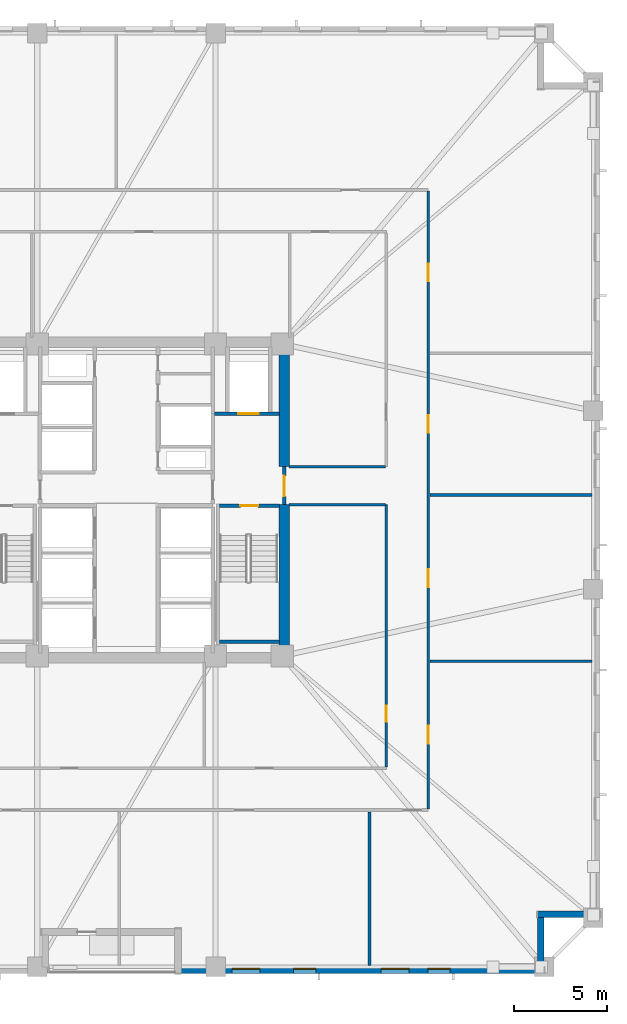
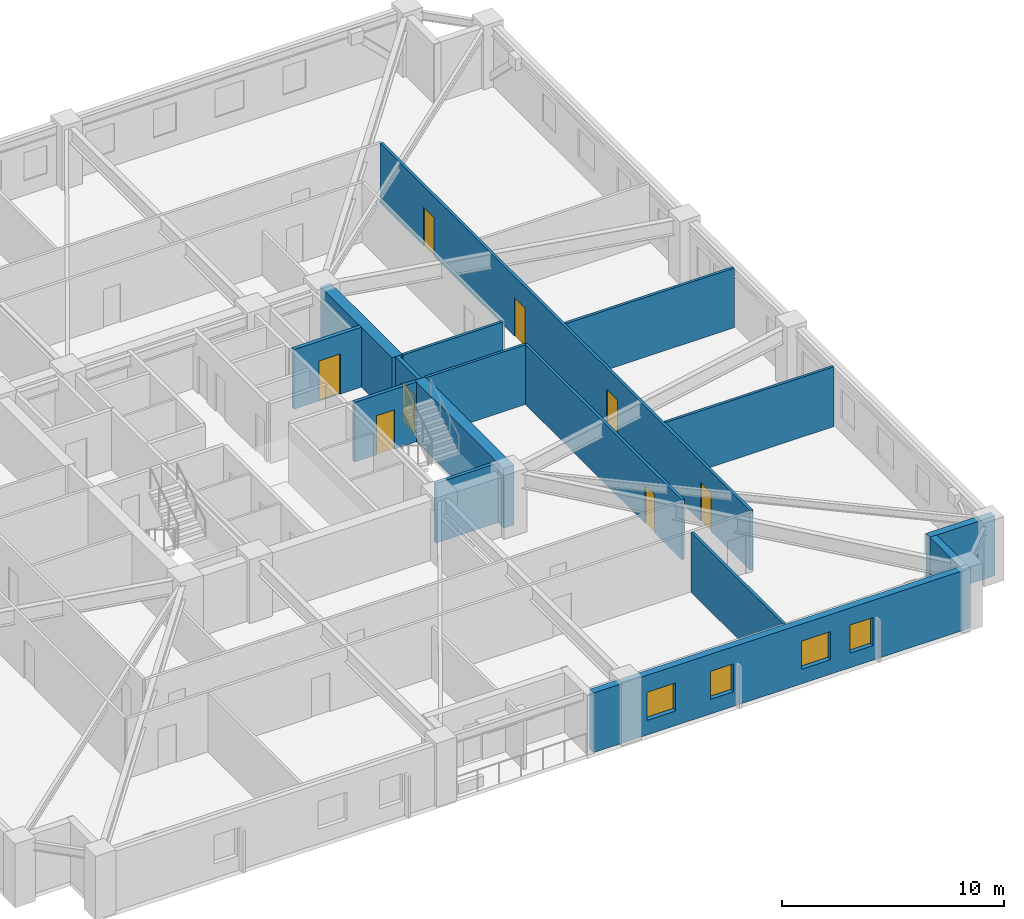
# One storey, part 4 of 11: 16 walls, 8 doors, 4 windows, 12 openings.
"""IFC4 building model written with IfcOpenShell, lengths in metres."""

from ifc_helpers import new_model, si_unit, direction, frame, frame_2d, origin, place, context, subcontext, project, spatial, rectangle, extrude, material, layer, layer_set, type_object, element, fill, save


model = new_model("IFC4")

# Units and contexts
model_context = context("Model", 3, precision=1e-05, world=origin(), true_north=direction((0.0, 1.0)))
body_context = subcontext(model_context, "Body", "Model", "MODEL_VIEW")
ifc_project = project(units=[si_unit("LENGTHUNIT", "METRE"), si_unit("AREAUNIT", "SQUARE_METRE"), si_unit("VOLUMEUNIT", "CUBIC_METRE"), si_unit("PLANEANGLEUNIT", "RADIAN"), si_unit("MASSUNIT", "GRAM", prefix="KILO")], contexts=[model_context])

# Site, building, storey
site_placement = place(None, origin())
site = spatial("IfcSite", under=ifc_project, at=site_placement, CompositionType="ELEMENT")
building_placement = place(site_placement, origin())
building = spatial("IfcBuilding", under=site, at=building_placement, Name="Cairnveth Concourse Tower", CompositionType="ELEMENT")
storey_placement = place(building_placement, frame((0.0, 0.0, 34.0)))
storey = spatial("IfcBuildingStorey", under=building, at=storey_placement, Name="L08", CompositionType="ELEMENT", Elevation=34.0)

# Walls
ifc_material_1 = material(Name="Concrete N80 (80 MPa)", Category="concrete")
ifc_layer_1 = layer(ifc_material_1, 0.550048828125)
ifc_layer_set_1 = layer_set([ifc_layer_1], Name="Concrete N80 (80 MPa)")
wall_type_1 = type_object("IfcWallType", Name="CORE SHEAR WALL 550", PredefinedType="SHEAR", material=ifc_layer_set_1)
wall_1_placement = place(storey_placement, frame((60.5, 30.764892578125, 0.0), z_axis=(0.0, 0.0, 1.0), x_axis=(0.0, 1.0, 0.0)))
element("IfcWall", 1, at=wall_1_placement, inside=storey, type_object=wall_type_1, Name="Core East Shear Wall S L08", PredefinedType="SHEAR", context=body_context, shape_type="SweptSolid", body=[
    extrude(rectangle(XDim=7.985107421875, YDim=0.550048828125, at=frame_2d((3.99267578125, 0.0))), origin(), (0.0, 0.0, 1.0), 3.280029296875),
])
wall_2_placement = place(storey_placement, frame((60.5, 40.800048828125, 0.0), z_axis=(0.0, 0.0, 1.0), x_axis=(0.0, 1.0, 0.0)))
element("IfcWall", 2, at=wall_2_placement, inside=storey, type_object=wall_type_1, Name="Core East Shear Wall N L08", PredefinedType="SHEAR", context=body_context, shape_type="SweptSolid", body=[
    extrude(rectangle(XDim=6.43505859375, YDim=0.550048828125, at=frame_2d((3.217529296875, 0.0))), origin(), (0.0, 0.0, 1.0), 3.280029296875),
])

# Wall, opening, door
ifc_material_2 = material(Name="Concrete N50 (50 MPa)", Category="concrete")
ifc_layer_2 = layer(ifc_material_2, 0.179931640625)
ifc_layer_set_2 = layer_set([ifc_layer_2], Name="Concrete N50 (50 MPa)")
wall_type_2 = type_object("IfcWallType", Name="FIRE SHAFT WALL 180", PredefinedType="SOLIDWALL", material=ifc_layer_set_2)
wall_3_placement = place(storey_placement, frame((57.0048828125, 38.68994140625, 0.0), z_axis=(0.0, 0.0, 1.0), x_axis=(1.0, 0.0, 0.0)))
wall_3 = element("IfcWall", 3, at=wall_3_placement, inside=storey, type_object=wall_type_2, Name="Stair ST-2 Shaft Wall NEAR L08", PredefinedType="SOLIDWALL", context=body_context, shape_type="SweptSolid", body=[
    extrude(rectangle(XDim=3.230224609375, YDim=0.179931640625, at=frame_2d((1.615234375, 0.0))), origin(), (0.0, 0.0, 1.0), 3.280029296875),
])
opening_1_placement = place(wall_3_placement, frame((1.139892578125, 0.0, 0.0)))
opening_1 = element("IfcOpeningElement", 4, at=opening_1_placement, cuts=wall_3, Name="Opening ID12", PredefinedType="OPENING", context=body_context, shape_type="SweptSolid", body=[
    extrude(rectangle(XDim=0.949951171875, YDim=2.14990234375, at=frame_2d((0.47509765625, 1.074951171875))), frame((0.0, 0.099853515625, 0.0), z_axis=(0.0, -1.0, 0.0), x_axis=(1.0, 0.0, 0.0)), (0.0, 0.0, 1.0), 0.199951171875),
])
ifc_material_3 = material(Name="Steel Grade 350", Category="steel")
door_type_1 = type_object("IfcDoorType", Name="FIRE STAIR DOOR 950X2150", OperationType="NOTDEFINED", PredefinedType="DOOR", material=ifc_material_3)
door_1_placement = place(opening_1_placement, origin())
door_1 = element("IfcDoor", 5, at=door_1_placement, inside=storey, type_object=door_type_1, Name="Stair ST-2 Fire Door L08", OperationType="SINGLE_SWING_RIGHT", OverallHeight=2.14990234375, OverallWidth=0.949951171875, PredefinedType="DOOR", context=body_context, shape_type="SweptSolid", body=[
    extrude(rectangle(XDim=0.949951171875, YDim=2.14990234375, at=frame_2d((0.47509765625, 1.074951171875))), frame((0.0, 0.02490234375, 0.0), z_axis=(0.0, -1.0, 0.0), x_axis=(1.0, 0.0, 0.0)), (0.0, 0.0, 1.0), 0.050048828125),
])
fill(opening_1, door_1)

# Wall
wall_4_placement = place(storey_placement, frame((57.0048828125, 31.360107421875, 0.0), z_axis=(0.0, 0.0, 1.0), x_axis=(1.0, 0.0, 0.0)))
element("IfcWall", 6, at=wall_4_placement, inside=storey, type_object=wall_type_2, Name="Stair ST-2 Shaft Wall FAR L08", PredefinedType="SOLIDWALL", context=body_context, shape_type="SweptSolid", body=[
    extrude(rectangle(XDim=3.230224609375, YDim=0.179931640625, at=frame_2d((1.615234375, 0.0))), origin(), (0.0, 0.0, 1.0), 3.280029296875),
])

# Wall, opening, door
ifc_layer_3 = layer(ifc_material_2, 0.199951171875)
ifc_layer_set_3 = layer_set([ifc_layer_3], Name="Concrete N50 (50 MPa)")
wall_type_3 = type_object("IfcWallType", Name="FIRE SHAFT WALL 200", PredefinedType="SOLIDWALL", material=ifc_layer_set_3)
wall_5_placement = place(storey_placement, frame((60.5, 38.75, 0.0), z_axis=(0.0, 0.0, 1.0), x_axis=(0.0, 1.0, 0.0)))
wall_5 = element("IfcWall", 7, at=wall_5_placement, inside=storey, type_object=wall_type_3, Name="Interior Wall IW-L08-020", PredefinedType="SOLIDWALL", context=body_context, shape_type="SweptSolid", body=[
    extrude(rectangle(XDim=2.050048828125, YDim=0.199951171875, at=frame_2d((1.02490234375, 0.0))), origin(), (0.0, 0.0, 1.0), 3.280029296875),
])
opening_2_placement = place(wall_5_placement, frame((0.449951171875, 0.0, 0.0)))
opening_2 = element("IfcOpeningElement", 8, at=opening_2_placement, cuts=wall_5, Name="Opening ID06", PredefinedType="OPENING", context=body_context, shape_type="SweptSolid", body=[
    extrude(rectangle(XDim=1.10009765625, YDim=2.14990234375, at=frame_2d((0.550048828125, 1.074951171875))), frame((0.0, 0.10986328125, 0.0), z_axis=(0.0, -1.0, 0.0), x_axis=(1.0, 0.0, 0.0)), (0.0, 0.0, 1.0), 0.219970703125),
])
door_type_2 = type_object("IfcDoorType", Name="FIRE CORRIDOR DOOR 1100X2150", OperationType="NOTDEFINED", PredefinedType="DOOR", material=ifc_material_3)
door_2_placement = place(opening_2_placement, origin())
door_2 = element("IfcDoor", 9, at=door_2_placement, inside=storey, type_object=door_type_2, Name="East Wing to FF Lobby Door L08", OperationType="SINGLE_SWING_RIGHT", OverallHeight=2.14990234375, OverallWidth=1.10009765625, PredefinedType="DOOR", context=body_context, shape_type="SweptSolid", body=[
    extrude(rectangle(XDim=1.10009765625, YDim=2.14990234375, at=frame_2d((0.550048828125, 1.074951171875))), frame((0.0, 0.02490234375, 0.0), z_axis=(0.0, -1.0, 0.0), x_axis=(1.0, 0.0, 0.0)), (0.0, 0.0, 1.0), 0.050048828125),
])
fill(opening_2, door_2)

wall_6_placement = place(storey_placement, frame((56.735107421875, 43.64990234375, 0.0), z_axis=(0.0, 0.0, 1.0), x_axis=(1.0, 0.0, 0.0)))
wall_6 = element("IfcWall", 10, at=wall_6_placement, inside=storey, type_object=wall_type_3, Name="Interior Wall IW-L08-022", PredefinedType="SOLIDWALL", context=body_context, shape_type="SweptSolid", body=[
    extrude(rectangle(XDim=3.5048828125, YDim=0.199951171875, at=frame_2d((1.75244140625, 0.0))), origin(), (0.0, 0.0, 1.0), 3.280029296875),
])
opening_3_placement = place(wall_6_placement, frame((1.294921875, 0.0, 0.0)))
opening_3 = element("IfcOpeningElement", 11, at=opening_3_placement, cuts=wall_6, Name="Opening LD-1", PredefinedType="OPENING", context=body_context, shape_type="SweptSolid", body=[
    extrude(rectangle(XDim=1.10009765625, YDim=2.199951171875, at=frame_2d((0.550048828125, 1.10009765625))), frame((0.0, 0.10986328125, 0.0), z_axis=(0.0, -1.0, 0.0), x_axis=(1.0, 0.0, 0.0)), (0.0, 0.0, 1.0), 0.219970703125),
])
ifc_material_4 = material(Name="Architectural Bronze Anodised Aluminium 6063-T6", Category="aluminium")
door_type_3 = type_object("IfcDoorType", Name="LIFT LANDING DOOR 1100X2200", OperationType="SLIDING_TO_LEFT", PredefinedType="DOOR", material=ifc_material_4)
door_3_placement = place(opening_3_placement, origin())
door_3 = element("IfcDoor", 12, at=door_3_placement, inside=storey, type_object=door_type_3, Name="Lift FFL2 Landing Door L08", OperationType="SLIDING_TO_LEFT", OverallHeight=2.199951171875, OverallWidth=1.10009765625, PredefinedType="DOOR", context=body_context, shape_type="SweptSolid", body=[
    extrude(rectangle(XDim=1.10009765625, YDim=2.199951171875, at=frame_2d((0.550048828125, 1.10009765625))), frame((0.0, 0.02490234375, 0.0), z_axis=(0.0, -1.0, 0.0), x_axis=(1.0, 0.0, 0.0)), (0.0, 0.0, 1.0), 0.050048828125),
])
fill(opening_3, door_3)

# Wall, openings, doors
ifc_material_5 = material(Name="Gypsum Plasterboard Partition", Category="gypsum")
ifc_layer_4 = layer(ifc_material_5, 0.139892578125)
ifc_layer_set_4 = layer_set([ifc_layer_4], Name="Gypsum Plasterboard Partition")
wall_type_4 = type_object("IfcWallType", Name="GYPSUM STUD PARTITION 140", PredefinedType="PARTITIONING", material=ifc_layer_set_4)
wall_7_placement = place(storey_placement, frame((68.25, 22.35498046875, 0.0), z_axis=(0.0, 0.0, 1.0), x_axis=(0.0, 1.0, 0.0)))
wall_7 = element("IfcWall", 13, at=wall_7_placement, inside=storey, type_object=wall_type_4, Name="Interior Wall IW-L08-041", PredefinedType="PARTITIONING", context=body_context, shape_type="SweptSolid", body=[
    extrude(rectangle(XDim=33.2900390625, YDim=0.139892578125, at=frame_2d((16.64501953125, 0.0))), origin(), (0.0, 0.0, 1.0), 3.280029296875),
])
opening_4_placement = place(wall_7_placement, frame((3.521728515625, 0.0, 0.0)))
opening_4 = element("IfcOpeningElement", 14, at=opening_4_placement, cuts=wall_7, Name="Opening ID11", PredefinedType="OPENING", context=body_context, shape_type="SweptSolid", body=[
    extrude(rectangle(XDim=0.9599609375, YDim=2.1201171875, at=frame_2d((0.47998046875, 1.06005859375))), frame((0.0, 0.079833984375, 0.0), z_axis=(0.0, -1.0, 0.0), x_axis=(1.0, 0.0, 0.0)), (0.0, 0.0, 1.0), 0.159912109375),
])
opening_5_placement = place(wall_7_placement, frame((11.95556640625, 0.0, 0.0)))
opening_5 = element("IfcOpeningElement", 15, at=opening_5_placement, cuts=wall_7, Name="Opening ID11", PredefinedType="OPENING", context=body_context, shape_type="SweptSolid", body=[
    extrude(rectangle(XDim=0.9599609375, YDim=2.1201171875, at=frame_2d((0.47998046875, 1.06005859375))), frame((0.0, 0.079833984375, 0.0), z_axis=(0.0, -1.0, 0.0), x_axis=(1.0, 0.0, 0.0)), (0.0, 0.0, 1.0), 0.159912109375),
])
opening_6_placement = place(wall_7_placement, frame((20.255615234375, 0.0, 0.0)))
opening_6 = element("IfcOpeningElement", 16, at=opening_6_placement, cuts=wall_7, Name="Opening ID11", PredefinedType="OPENING", context=body_context, shape_type="SweptSolid", body=[
    extrude(rectangle(XDim=0.9599609375, YDim=2.1201171875, at=frame_2d((0.47998046875, 1.06005859375))), frame((0.0, 0.079833984375, 0.0), z_axis=(0.0, -1.0, 0.0), x_axis=(1.0, 0.0, 0.0)), (0.0, 0.0, 1.0), 0.159912109375),
])
opening_7_placement = place(wall_7_placement, frame((28.421630859375, 0.0, 0.0)))
opening_7 = element("IfcOpeningElement", 17, at=opening_7_placement, cuts=wall_7, Name="Opening ID11", PredefinedType="OPENING", context=body_context, shape_type="SweptSolid", body=[
    extrude(rectangle(XDim=0.9599609375, YDim=2.1201171875, at=frame_2d((0.47998046875, 1.06005859375))), frame((0.0, 0.079833984375, 0.0), z_axis=(0.0, -1.0, 0.0), x_axis=(1.0, 0.0, 0.0)), (0.0, 0.0, 1.0), 0.159912109375),
])
ifc_material_6 = material(Name="Solid Core Hardwood Timber Leaf", Category="wood")
door_type_4 = type_object("IfcDoorType", Name="INTERIOR SINGLE DOOR 960X2150", OperationType="NOTDEFINED", PredefinedType="DOOR", material=ifc_material_6)
door_4_placement = place(opening_4_placement, origin())
door_4 = element("IfcDoor", 18, at=door_4_placement, inside=storey, type_object=door_type_4, Name="Office Door L08-E1", OperationType="SINGLE_SWING_LEFT", OverallHeight=2.1201171875, OverallWidth=0.9599609375, PredefinedType="DOOR", context=body_context, shape_type="SweptSolid", body=[
    extrude(rectangle(XDim=0.9599609375, YDim=2.1201171875, at=frame_2d((0.47998046875, 1.06005859375))), frame((0.0, 0.02490234375, 0.0), z_axis=(0.0, -1.0, 0.0), x_axis=(1.0, 0.0, 0.0)), (0.0, 0.0, 1.0), 0.050048828125),
])
fill(opening_4, door_4)
door_5_placement = place(opening_5_placement, origin())
door_5 = element("IfcDoor", 19, at=door_5_placement, inside=storey, type_object=door_type_4, Name="Office Door L08-E2", OperationType="SINGLE_SWING_RIGHT", OverallHeight=2.1201171875, OverallWidth=0.9599609375, PredefinedType="DOOR", context=body_context, shape_type="SweptSolid", body=[
    extrude(rectangle(XDim=0.9599609375, YDim=2.1201171875, at=frame_2d((0.47998046875, 1.06005859375))), frame((0.0, 0.02490234375, 0.0), z_axis=(0.0, -1.0, 0.0), x_axis=(1.0, 0.0, 0.0)), (0.0, 0.0, 1.0), 0.050048828125),
])
fill(opening_5, door_5)
door_6_placement = place(opening_6_placement, origin())
door_6 = element("IfcDoor", 20, at=door_6_placement, inside=storey, type_object=door_type_4, Name="Office Door L08-E3", OperationType="SINGLE_SWING_LEFT", OverallHeight=2.1201171875, OverallWidth=0.9599609375, PredefinedType="DOOR", context=body_context, shape_type="SweptSolid", body=[
    extrude(rectangle(XDim=0.9599609375, YDim=2.1201171875, at=frame_2d((0.47998046875, 1.06005859375))), frame((0.0, 0.02490234375, 0.0), z_axis=(0.0, -1.0, 0.0), x_axis=(1.0, 0.0, 0.0)), (0.0, 0.0, 1.0), 0.050048828125),
])
fill(opening_6, door_6)
door_7_placement = place(opening_7_placement, origin())
door_7 = element("IfcDoor", 21, at=door_7_placement, inside=storey, type_object=door_type_4, Name="Office Door L08-E4", OperationType="SINGLE_SWING_RIGHT", OverallHeight=2.1201171875, OverallWidth=0.9599609375, PredefinedType="DOOR", context=body_context, shape_type="SweptSolid", body=[
    extrude(rectangle(XDim=0.9599609375, YDim=2.1201171875, at=frame_2d((0.47998046875, 1.06005859375))), frame((0.0, 0.02490234375, 0.0), z_axis=(0.0, -1.0, 0.0), x_axis=(1.0, 0.0, 0.0)), (0.0, 0.0, 1.0), 0.050048828125),
])
fill(opening_7, door_7)

# Wall, opening, door
wall_8_placement = place(storey_placement, frame((66.0, 24.60498046875, 0.0), z_axis=(0.0, 0.0, 1.0), x_axis=(0.0, 1.0, 0.0)))
wall_8 = element("IfcWall", 22, at=wall_8_placement, inside=storey, type_object=wall_type_4, Name="Interior Wall IW-L08-048", PredefinedType="PARTITIONING", context=body_context, shape_type="SweptSolid", body=[
    extrude(rectangle(XDim=14.14501953125, YDim=0.139892578125, at=frame_2d((7.072509765625, 0.0))), origin(), (0.0, 0.0, 1.0), 3.280029296875),
])
opening_8_placement = place(wall_8_placement, frame((2.445068359375, 0.0, 0.0)))
opening_8 = element("IfcOpeningElement", 23, at=opening_8_placement, cuts=wall_8, Name="Opening ID18", PredefinedType="OPENING", context=body_context, shape_type="SweptSolid", body=[
    extrude(rectangle(XDim=0.8798828125, YDim=2.10009765625, at=frame_2d((0.43994140625, 1.050048828125))), frame((0.0, 0.079833984375, 0.0), z_axis=(0.0, -1.0, 0.0), x_axis=(1.0, 0.0, 0.0)), (0.0, 0.0, 1.0), 0.159912109375),
])
door_type_5 = type_object("IfcDoorType", Name="INTERIOR SINGLE DOOR 880X2100", OperationType="NOTDEFINED", PredefinedType="DOOR", material=ifc_material_6)
door_8_placement = place(opening_8_placement, origin())
door_8 = element("IfcDoor", 24, at=door_8_placement, inside=storey, type_object=door_type_5, Name="Interior Door DR-L08-023", OperationType="SINGLE_SWING_LEFT", OverallHeight=2.10009765625, OverallWidth=0.8798828125, PredefinedType="DOOR", context=body_context, shape_type="SweptSolid", body=[
    extrude(rectangle(XDim=0.8798828125, YDim=2.10009765625, at=frame_2d((0.43994140625, 1.050048828125))), frame((0.0, 0.02490234375, 0.0), z_axis=(0.0, -1.0, 0.0), x_axis=(1.0, 0.0, 0.0)), (0.0, 0.0, 1.0), 0.050048828125),
])
fill(opening_8, door_8)

# Walls
for number, where, z_axis, x_axis, name in (
    (25, (60.760009765625, 38.75, 0.0), (0.0, 0.0, 1.0), (1.0, 0.0, 0.0), "Interior Wall IW-L08-050"),
    (26, (60.760009765625, 40.800048828125, 0.0), (0.0, 0.0, 1.0), (1.0, 0.0, 0.0), "Interior Wall IW-L08-051"),
):
    element("IfcWall", number, at=place(storey_placement, frame(where, z_axis=z_axis, x_axis=x_axis)), inside=storey, type_object=wall_type_4, Name=name, PredefinedType="PARTITIONING", context=body_context, shape_type="SweptSolid", body=[
        extrude(rectangle(XDim=5.18505859375, YDim=0.139892578125, at=frame_2d((2.592529296875, 0.0))), origin(), (0.0, 0.0, 1.0), 3.280029296875),
    ])
wall_9_placement = place(storey_placement, frame((65.092529296875, 13.919921875, 0.0), z_axis=(0.0, 0.0, 1.0), x_axis=(0.0, 1.0, 0.0)))
element("IfcWall", 27, at=wall_9_placement, inside=storey, type_object=wall_type_4, Name="Interior Wall IW-L08-059", PredefinedType="PARTITIONING", context=body_context, shape_type="SweptSolid", body=[
    extrude(rectangle(XDim=8.280029296875, YDim=0.139892578125, at=frame_2d((4.14013671875, 0.0))), origin(), (0.0, 0.0, 1.0), 3.280029296875),
])
for number, where, z_axis, x_axis, name in (
    (28, (68.35009765625, 30.313232421875, 0.0), (0.0, 0.0, 1.0), (1.0, 0.0, 0.0), "Interior Wall IW-L08-062"),
    (29, (68.35009765625, 39.267578125, 0.0), (0.0, 0.0, 1.0), (1.0, 0.0, 0.0), "Interior Wall IW-L08-063"),
):
    element("IfcWall", number, at=place(storey_placement, frame(where, z_axis=z_axis, x_axis=x_axis)), inside=storey, type_object=wall_type_4, Name=name, PredefinedType="PARTITIONING", context=body_context, shape_type="SweptSolid", body=[
        extrude(rectangle(XDim=8.72998046875, YDim=0.139892578125, at=frame_2d((4.364990234375, 0.0))), origin(), (0.0, 0.0, 1.0), 3.280029296875),
    ])
ifc_material_7 = material(Name="Hawthorn Red-Ochre Fired Clay Brick Masonry", Category="masonry")
ifc_layer_5 = layer(ifc_material_7, 0.360107421875)
ifc_layer_set_5 = layer_set([ifc_layer_5], Name="Hawthorn Red-Ochre Fired Clay Brick Masonry")
wall_type_5 = type_object("IfcWallType", Name="ZONE 1 BRICK PIER SPANDREL WALL 360", PredefinedType="SOLIDWALL", material=ifc_layer_set_5)
wall_10_placement = place(storey_placement, frame((77.5, 16.679931640625, 0.0), z_axis=(0.0, 0.0, 1.0), x_axis=(-1.0, 0.0, 0.0)))
element("IfcWall", 30, at=wall_10_placement, inside=storey, type_object=wall_type_5, Name="Exterior Wall EW-L08-S10", PredefinedType="SOLIDWALL", context=body_context, shape_type="SweptSolid", body=[
    extrude(rectangle(XDim=3.360107421875, YDim=0.360107421875, at=frame_2d((1.68017578125, 0.0))), origin(), (0.0, 0.0, 1.0), 3.280029296875),
])
wall_11_placement = place(storey_placement, frame((74.320068359375, 16.52197265625, 0.0), z_axis=(0.0, 0.0, 1.0), x_axis=(0.0, -1.0, 0.0)))
element("IfcWall", 31, at=wall_11_placement, inside=storey, type_object=wall_type_5, Name="Exterior Wall EW-L08-S11", PredefinedType="SOLIDWALL", context=body_context, shape_type="SweptSolid", body=[
    extrude(rectangle(XDim=2.68408203125, YDim=0.360107421875, at=frame_2d((1.342041015625, 0.0))), origin(), (0.0, 0.0, 1.0), 3.280029296875),
])

# Wall, openings, windows
wall_12_placement = place(storey_placement, frame((74.5, 13.679931640625, 0.0), z_axis=(0.0, 0.0, 1.0), x_axis=(-1.0, 0.0, 0.0)))
wall_12 = element("IfcWall", 32, at=wall_12_placement, inside=storey, type_object=wall_type_5, Name="Exterior Wall EW-L08-S12", PredefinedType="SOLIDWALL", context=body_context, shape_type="SweptSolid", body=[
    extrude(rectangle(XDim=19.56201171875, YDim=0.360107421875, at=frame_2d((9.781005859375, 0.0))), origin(), (0.0, 0.0, 1.0), 3.280029296875),
])
opening_9_placement = place(wall_12_placement, frame((5.057861328125, 0.0, 0.800048828125)))
opening_9 = element("IfcOpeningElement", 33, at=opening_9_placement, cuts=wall_12, Name="Opening W01", PredefinedType="OPENING", context=body_context, shape_type="SweptSolid", body=[
    extrude(rectangle(XDim=1.199951171875, YDim=1.5439453125, at=frame_2d((0.60009765625, 0.77197265625))), frame((0.0, 0.18994140625, 0.0), z_axis=(0.0, -1.0, 0.0), x_axis=(1.0, 0.0, 0.0)), (0.0, 0.0, 1.0), 0.380126953125),
])
opening_10_placement = place(wall_12_placement, frame((7.273193359375, 0.0, 0.800048828125)))
opening_10 = element("IfcOpeningElement", 34, at=opening_10_placement, cuts=wall_12, Name="Opening W03", PredefinedType="OPENING", context=body_context, shape_type="SweptSolid", body=[
    extrude(rectangle(XDim=1.5, YDim=1.5439453125, at=frame_2d((0.75, 0.77197265625))), frame((0.0, 0.18994140625, 0.0), z_axis=(0.0, -1.0, 0.0), x_axis=(1.0, 0.0, 0.0)), (0.0, 0.0, 1.0), 0.380126953125),
])
opening_11_placement = place(wall_12_placement, frame((12.288818359375, 0.0, 0.800048828125)))
opening_11 = element("IfcOpeningElement", 35, at=opening_11_placement, cuts=wall_12, Name="Opening W01", PredefinedType="OPENING", context=body_context, shape_type="SweptSolid", body=[
    extrude(rectangle(XDim=1.199951171875, YDim=1.5439453125, at=frame_2d((0.60009765625, 0.77197265625))), frame((0.0, 0.18994140625, 0.0), z_axis=(0.0, -1.0, 0.0), x_axis=(1.0, 0.0, 0.0)), (0.0, 0.0, 1.0), 0.380126953125),
])
opening_12_placement = place(wall_12_placement, frame((15.30419921875, 0.0, 0.800048828125)))
opening_12 = element("IfcOpeningElement", 36, at=opening_12_placement, cuts=wall_12, Name="Opening W03", PredefinedType="OPENING", context=body_context, shape_type="SweptSolid", body=[
    extrude(rectangle(XDim=1.5, YDim=1.5439453125, at=frame_2d((0.75, 0.77197265625))), frame((0.0, 0.18994140625, 0.0), z_axis=(0.0, -1.0, 0.0), x_axis=(1.0, 0.0, 0.0)), (0.0, 0.0, 1.0), 0.380126953125),
])
ifc_material_8 = material(Name="Double Glazed Low-E Clear Glass", Category="glass")
window_type_1 = type_object("IfcWindowType", Name="DEEP-SET GOTHIC LANCET WINDOW 1200X1800", PartitioningType="DOUBLE_PANEL_VERTICAL", PredefinedType="WINDOW", material=ifc_material_8)
window_1_placement = place(opening_9_placement, origin())
window_1 = element("IfcWindow", 37, at=window_1_placement, inside=storey, type_object=window_type_1, Name="Gothic Lancet Window L08-12-1", OverallHeight=1.5439453125, OverallWidth=1.199951171875, PartitioningType="SINGLE_PANEL", PredefinedType="WINDOW", context=body_context, shape_type="SweptSolid", body=[
    extrude(rectangle(XDim=1.199951171875, YDim=1.5439453125, at=frame_2d((0.60009765625, 0.77197265625))), frame((0.0, -0.050048828125, 0.0), z_axis=(0.0, -1.0, 0.0), x_axis=(1.0, 0.0, 0.0)), (0.0, 0.0, 1.0), 0.06005859375),
])
fill(opening_9, window_1)
window_2_placement = place(opening_11_placement, origin())
window_2 = element("IfcWindow", 38, at=window_2_placement, inside=storey, type_object=window_type_1, Name="Gothic Lancet Window L08-12-3", OverallHeight=1.5439453125, OverallWidth=1.199951171875, PartitioningType="SINGLE_PANEL", PredefinedType="WINDOW", context=body_context, shape_type="SweptSolid", body=[
    extrude(rectangle(XDim=1.199951171875, YDim=1.5439453125, at=frame_2d((0.60009765625, 0.77197265625))), frame((0.0, -0.050048828125, 0.0), z_axis=(0.0, -1.0, 0.0), x_axis=(1.0, 0.0, 0.0)), (0.0, 0.0, 1.0), 0.06005859375),
])
fill(opening_11, window_2)
window_type_2 = type_object("IfcWindowType", Name="DEEP-SET GOTHIC LANCET WINDOW 1500X1800", PartitioningType="DOUBLE_PANEL_VERTICAL", PredefinedType="WINDOW", material=ifc_material_8)
window_3_placement = place(opening_10_placement, origin())
window_3 = element("IfcWindow", 39, at=window_3_placement, inside=storey, type_object=window_type_2, Name="Gothic Lancet Window L08-12-2", OverallHeight=1.5439453125, OverallWidth=1.5, PartitioningType="SINGLE_PANEL", PredefinedType="WINDOW", context=body_context, shape_type="SweptSolid", body=[
    extrude(rectangle(XDim=1.5, YDim=1.5439453125, at=frame_2d((0.75, 0.77197265625))), frame((0.0, -0.050048828125, 0.0), z_axis=(0.0, -1.0, 0.0), x_axis=(1.0, 0.0, 0.0)), (0.0, 0.0, 1.0), 0.06005859375),
])
fill(opening_10, window_3)
window_4_placement = place(opening_12_placement, origin())
window_4 = element("IfcWindow", 40, at=window_4_placement, inside=storey, type_object=window_type_2, Name="Gothic Lancet Window L08-12-4", OverallHeight=1.5439453125, OverallWidth=1.5, PartitioningType="SINGLE_PANEL", PredefinedType="WINDOW", context=body_context, shape_type="SweptSolid", body=[
    extrude(rectangle(XDim=1.5, YDim=1.5439453125, at=frame_2d((0.75, 0.77197265625))), frame((0.0, -0.050048828125, 0.0), z_axis=(0.0, -1.0, 0.0), x_axis=(1.0, 0.0, 0.0)), (0.0, 0.0, 1.0), 0.06005859375),
])
fill(opening_12, window_4)

save(model, "model.ifc")
